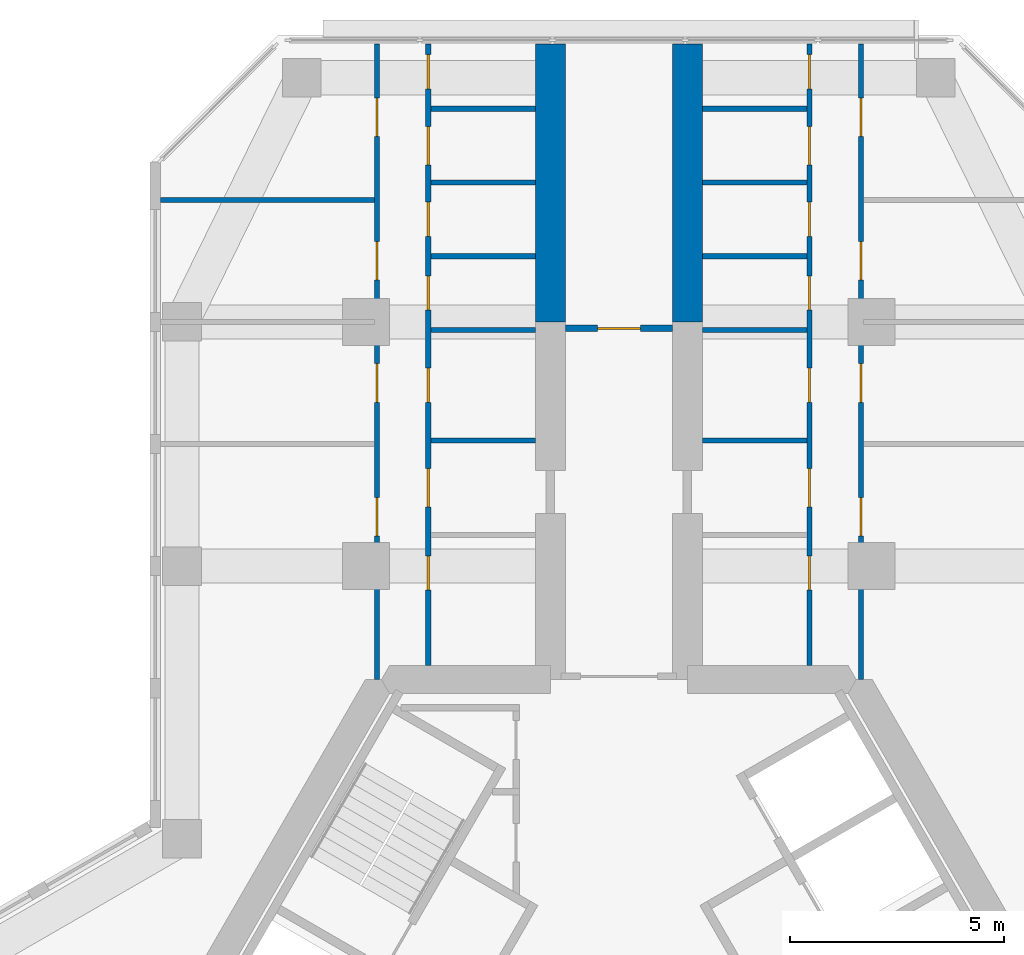
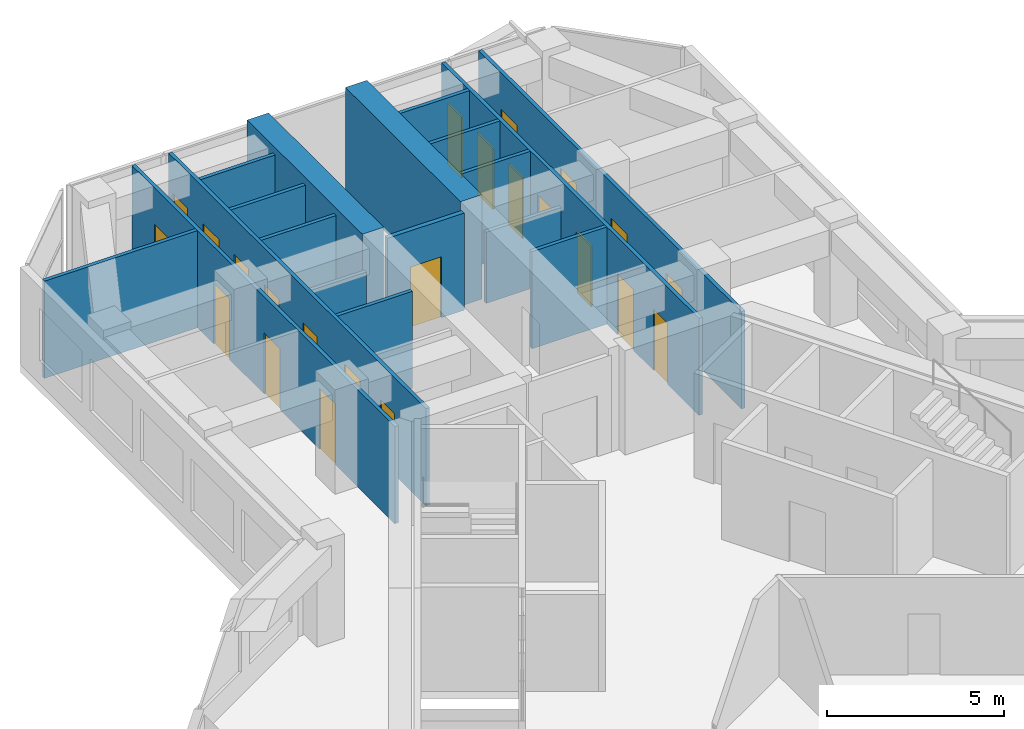
# One storey, part 14 of 16: 23 doors, 18 walls, 23 openings.
"""IFC4 building model written with IfcOpenShell, lengths in metres."""

import ifcopenshell
import ifcopenshell.guid

model = None  # the IFC model being written
_history = None  # IfcOwnerHistory: only IFC2X3 demands one
_inside = {}  # id of a spatial element -> (the spatial element, [elements in it])
_under = {}  # id of a project, library or spatial element -> (it, [spatial elements below it])
_declared = {}  # id of a project -> (the project, [libraries it declares])
_typed = {}  # id of a type object -> (the type object, [elements of that type])
_made_of = {}  # id of a material, layer set ... -> (it, [elements and type objects made of it])


def new_model(schema):
    """Start an empty IFC model of exactly this schema.

    Asked for "IFC4X3", IfcOpenShell would pick the latest addendum, in which some entities
    have other attributes; the version numbers below select the first issue.
    IFC2X3 requires an IfcOwnerHistory on every rooted entity: one is made here for all.
    """
    global model, _history
    if schema == "IFC4X3":
        model = ifcopenshell.file(schema_version=(4, 3, 0, 0))
    else:
        model = ifcopenshell.file(schema=schema)
    _inside.clear()
    _under.clear()
    _declared.clear()
    _typed.clear()
    _made_of.clear()
    _history = None
    if model.schema == "IFC2X3":
        org = make("IfcOrganization", Name="unknown")
        user = make(
            "IfcPersonAndOrganization",
            ThePerson=make("IfcPerson", FamilyName="unknown"),
            TheOrganization=org,
        )
        app = make(
            "IfcApplication",
            ApplicationDeveloper=org,
            Version="unknown",
            ApplicationFullName="unknown",
            ApplicationIdentifier="unknown",
        )
        _history = make(
            "IfcOwnerHistory",
            OwningUser=user,
            OwningApplication=app,
            ChangeAction="ADDED",
            CreationDate=0,
        )
    return model


def make(cls, **values):
    """One entity of the class cls with the attributes given. An attribute that is None is left unset."""
    return model.create_entity(
        cls, **{name: value for name, value in values.items() if value is not None}
    )


def rooted(cls, **values):
    """An entity with a GlobalId (a new one), such as an element, a storey or a relation."""
    return make(cls, GlobalId=ifcopenshell.guid.new(), OwnerHistory=_history, **values)


def si_unit(unit_type, name, prefix=None):
    """IfcSIUnit, for example si_unit("LENGTHUNIT", "METRE", prefix="MILLI")."""
    return make("IfcSIUnit", UnitType=unit_type, Prefix=prefix, Name=name)


def assignment(units):
    """IfcUnitAssignment: the units of a project."""
    return None if units is None else make("IfcUnitAssignment", Units=units)


def point(xyz):
    """IfcCartesianPoint."""
    return None if xyz is None else make("IfcCartesianPoint", Coordinates=xyz)


def direction(xyz):
    """IfcDirection."""
    return None if xyz is None else make("IfcDirection", DirectionRatios=xyz)


def frame(location, z_axis=None, x_axis=None):
    """IfcAxis2Placement3D, a coordinate frame: its origin and axes. An axis left out is left unset."""
    return make(
        "IfcAxis2Placement3D",
        Location=point(location),
        Axis=direction(z_axis),
        RefDirection=direction(x_axis),
    )


def frame_2d(location, x_axis=None):
    """IfcAxis2Placement2D, a coordinate frame in the plane: its origin and x axis."""
    return make(
        "IfcAxis2Placement2D", Location=point(location), RefDirection=direction(x_axis)
    )


def origin():
    """The frame at (0, 0, 0) with its axes left unset."""
    return frame((0.0, 0.0, 0.0))


def place(relative_to, where):
    """IfcLocalPlacement: puts the frame where relative to a parent placement (None: the world)."""
    return make(
        "IfcLocalPlacement", PlacementRelTo=relative_to, RelativePlacement=where
    )


def context(
    kind, dimensions, precision=None, world=None, true_north=None, identifier=None
):
    """IfcGeometricRepresentationContext, for example the 3D "Model" context."""
    return make(
        "IfcGeometricRepresentationContext",
        ContextIdentifier=identifier,
        ContextType=kind,
        CoordinateSpaceDimension=dimensions,
        Precision=precision,
        WorldCoordinateSystem=world,
        TrueNorth=true_north,
    )


def subcontext(parent, identifier, kind, view, scale=None):
    """IfcGeometricRepresentationSubContext, for example "Body" below "Model"."""
    return make(
        "IfcGeometricRepresentationSubContext",
        ContextIdentifier=identifier,
        ContextType=kind,
        ParentContext=parent,
        TargetScale=scale,
        TargetView=view,
    )


def project(units=None, contexts=None):
    """IfcProject with its units and contexts."""
    return rooted(
        "IfcProject",
        Name="project",
        RepresentationContexts=contexts,
        UnitsInContext=assignment(units),
    )


def spatial(cls, under=None, at=None, **own):
    """A site, building, storey or space (cls), placed at a placement, below another one or the project."""
    s = rooted(cls, ObjectPlacement=at, **own)
    if under is not None:
        _under.setdefault(under.id(), (under, []))[1].append(s)
    return s


def profile(cls, at=None, kind="AREA", **sizes):
    """A parametric profile (cls). Its sizes go by their IFC names, for example OverallWidth=200.0."""
    return make(cls, ProfileType=kind, Position=at, **sizes)


def rectangle(**sizes):
    """IfcRectangleProfileDef."""
    return profile("IfcRectangleProfileDef", **sizes)


def extrude(swept, where, along, depth):
    """IfcExtrudedAreaSolid: the profile swept, set in the frame where, extruded along a direction by depth."""
    return make(
        "IfcExtrudedAreaSolid",
        SweptArea=swept,
        Position=where,
        ExtrudedDirection=direction(along),
        Depth=depth,
    )


def shape(context_of_items, identifier, shape_type, items):
    """IfcShapeRepresentation: the items that make up one representation, for example the "Body"."""
    return make(
        "IfcShapeRepresentation",
        ContextOfItems=context_of_items,
        RepresentationIdentifier=identifier,
        RepresentationType=shape_type,
        Items=items,
    )


def material(Name=None, Category=None):
    """IfcMaterial."""
    return make("IfcMaterial", Name=Name, Category=Category)


def layer(
    of_material, thickness, ventilated=None, Name=None, Category=None, Priority=None
):
    """IfcMaterialLayer: one layer of a wall or slab, of a material (None: an air gap)."""
    return make(
        "IfcMaterialLayer",
        Material=of_material,
        LayerThickness=thickness,
        IsVentilated=ventilated,
        Name=Name,
        Category=Category,
        Priority=Priority,
    )


def layer_set(layers, Name=None):
    """IfcMaterialLayerSet."""
    return make("IfcMaterialLayerSet", MaterialLayers=layers, LayerSetName=Name)


def made_of(thing, what):
    """Note that an element or type object is made of a material, layer set ...; save() writes the relation."""
    if what is not None:
        _made_of.setdefault(what.id(), (what, []))[1].append(thing)
    return thing


def type_object(cls, material=None, **own):
    """A type object (cls), such as IfcWallType, which elements share."""
    return made_of(rooted(cls, **own), material)


def element(
    cls,
    number,
    at=None,
    inside=None,
    cuts=None,
    type_object=None,
    material=None,
    context=None,
    identifier="Body",
    shape_type=None,
    held_by="IfcProductDefinitionShape",
    body=None,
    shapes=None,
    **own,
):
    """One element of the class cls, such as IfcWall. Its Tag is "e" and its number.

    at: its placement. inside: the storey or other place that contains it. cuts: it is an
    opening in that element (IfcRelVoidsElement). A single representation is given by context,
    identifier, shape_type and body (its items); several are given by shapes. held_by: the class
    of the entity that holds the representations. save() writes the other relations.
    """
    e = rooted(cls, Tag="e%d" % number, ObjectPlacement=at, **own)
    if body is not None:
        shapes = [shape(context, identifier, shape_type, body)]
    if shapes is not None:
        e.Representation = make(held_by, Representations=shapes)
    if inside is not None:
        _inside.setdefault(inside.id(), (inside, []))[1].append(e)
    if cuts is not None:
        rooted(
            "IfcRelVoidsElement", RelatingBuildingElement=cuts, RelatedOpeningElement=e
        )
    if type_object is not None:
        _typed.setdefault(type_object.id(), (type_object, []))[1].append(e)
    return made_of(e, material)


def fill(opening, filler):
    """IfcRelFillsElement: the door or window that sits in an opening."""
    return rooted(
        "IfcRelFillsElement",
        RelatingOpeningElement=opening,
        RelatedBuildingElement=filler,
    )


def aggregate(whole, parts):
    """IfcRelAggregates: a whole, such as a stair, and the parts it consists of."""
    return rooted("IfcRelAggregates", RelatingObject=whole, RelatedObjects=parts)


def save(model, path):
    """Write the relations noted so far, then the file.

    IfcRelAggregates (storeys below a building ...), IfcRelContainedInSpatialStructure (elements
    in a storey), IfcRelDefinesByType, IfcRelAssociatesMaterial and IfcRelDeclares: one each for
    every whole, place, type object, material and project.
    """
    for whole, parts in _under.values():
        aggregate(whole, parts)
    for where, things in _inside.values():
        rooted(
            "IfcRelContainedInSpatialStructure",
            RelatedElements=things,
            RelatingStructure=where,
        )
    for kind, things in _typed.values():
        rooted("IfcRelDefinesByType", RelatedObjects=things, RelatingType=kind)
    for what, things in _made_of.values():
        rooted("IfcRelAssociatesMaterial", RelatedObjects=things, RelatingMaterial=what)
    for by, libraries in _declared.values():
        rooted("IfcRelDeclares", RelatingContext=by, RelatedDefinitions=libraries)
    model.write(path)


model = new_model("IFC4")

# Units and contexts
model_context = context("Model", 3, precision=1e-05, world=origin(), true_north=direction((0.0, 1.0)))
body_context = subcontext(model_context, "Body", "Model", "MODEL_VIEW")
ifc_project = project(units=[si_unit("LENGTHUNIT", "METRE"), si_unit("AREAUNIT", "SQUARE_METRE"), si_unit("VOLUMEUNIT", "CUBIC_METRE"), si_unit("PLANEANGLEUNIT", "RADIAN"), si_unit("MASSUNIT", "GRAM", prefix="KILO")], contexts=[model_context])

# Site, building, storey
site_placement = place(None, origin())
site = spatial("IfcSite", under=ifc_project, at=site_placement, CompositionType="ELEMENT")
building_placement = place(site_placement, origin())
building = spatial("IfcBuilding", under=site, at=building_placement, Name="Kosmar Iwan School Tower", CompositionType="ELEMENT")
storey_placement = place(building_placement, frame((0.0, 0.0, 211.800048828125)))
storey = spatial("IfcBuildingStorey", under=building, at=storey_placement, Name="L53", CompositionType="ELEMENT", Elevation=211.800048828125)

# Walls
ifc_material_1 = material(Name="Concrete C50/60", Category="concrete")
ifc_layer_1 = layer(ifc_material_1, 0.699951171875)
ifc_layer_set_1 = layer_set([ifc_layer_1], Name="Corridor buttress wall 700")
wall_type_1 = type_object("IfcWallType", Name="Corridor buttress wall 700", PredefinedType="SHEAR", material=ifc_layer_set_1)
for number, where, z_axis, x_axis, name in (
    (1, (-1.60009765625, 17.949951171875, 0.0), (0.0, 0.0, 1.0), (0.0, 1.0, 0.0), "Corridor wall AL bay 2"),
    (2, (1.60009765625, 17.949951171875, 0.0), (0.0, 0.0, 1.0), (0.0, 1.0, 0.0), "Corridor wall AR bay 2"),
):
    element("IfcWall", number, at=place(storey_placement, frame(where, z_axis=z_axis, x_axis=x_axis)), inside=storey, type_object=wall_type_1, Name=name, PredefinedType="SHEAR", context=body_context, shape_type="SweptSolid", body=[
        extrude(rectangle(XDim=6.4951171875, YDim=0.699951171875, at=frame_2d((3.24755859375, 0.0))), origin(), (0.0, 0.0, 1.0), 3.599853515625),
    ])

# Wall, opening, door
ifc_material_2 = material(Name="Gypsum board on steel studs, fire-rated", Category="steel")
ifc_layer_2 = layer(ifc_material_2, 0.14990234375)
ifc_layer_set_2 = layer_set([ifc_layer_2], Name="Corridor end wall 150")
wall_type_2 = type_object("IfcWallType", Name="Corridor end wall 150", PredefinedType="PARTITIONING", material=ifc_layer_set_2)
wall_1_placement = place(storey_placement, frame((1.25, 17.800048828125, 0.0), z_axis=(0.0, 0.0, 1.0), x_axis=(-1.0, 0.0, 0.0)))
wall_1 = element("IfcWall", 3, at=wall_1_placement, inside=storey, type_object=wall_type_2, Name="Partition L53-A-CE", PredefinedType="PARTITIONING", context=body_context, shape_type="SweptSolid", body=[
    extrude(rectangle(XDim=2.5, YDim=0.14990234375, at=frame_2d((1.25, 0.0))), origin(), (0.0, 0.0, 1.0), 3.349853515625),
])
opening_1_placement = place(wall_1_placement, frame((0.75, 0.0, 0.0)))
opening_1 = element("IfcOpeningElement", 4, at=opening_1_placement, cuts=wall_1, Name="Opening D13", PredefinedType="OPENING", context=body_context, shape_type="SweptSolid", body=[
    extrude(rectangle(XDim=1.0, YDim=2.10009765625, at=frame_2d((0.5, 1.050048828125))), frame((0.0, 0.0869140625, 0.0), z_axis=(0.0, -1.0, 0.0), x_axis=(1.0, 0.0, 0.0)), (0.0, 0.0, 1.0), 0.173828125),
])
ifc_material_3 = material(Name="Timber fire door with vision panel", Category="wood")
door_type_1 = type_object("IfcDoorType", Name="Corridor end door 1000x2100", OperationType="SINGLE_SWING_LEFT", PredefinedType="DOOR", material=ifc_material_3)
door_1_placement = place(opening_1_placement, origin())
door_1 = element("IfcDoor", 5, at=door_1_placement, inside=storey, type_object=door_type_1, Name="Reading room door L53-A", OperationType="SINGLE_SWING_RIGHT", OverallHeight=2.10009765625, OverallWidth=1.0, PredefinedType="DOOR", context=body_context, shape_type="SweptSolid", body=[
    extrude(rectangle(XDim=1.0, YDim=2.10009765625, at=frame_2d((0.5, 1.050048828125))), frame((0.0, 0.02490234375, 0.0), z_axis=(0.0, -1.0, 0.0), x_axis=(1.0, 0.0, 0.0)), (0.0, 0.0, 1.0), 0.050048828125),
])
fill(opening_1, door_1)

# Wall, openings, doors
ifc_material_4 = material(Name="Gypsum board on steel studs", Category="steel")
ifc_layer_3 = layer(ifc_material_4, 0.1201171875)
ifc_layer_set_3 = layer_set([ifc_layer_3], Name="Dwelling partition 120")
wall_type_3 = type_object("IfcWallType", Name="Dwelling partition 120", PredefinedType="PARTITIONING", material=ifc_layer_set_3)
wall_2_placement = place(storey_placement, frame((-4.449951171875, 9.925048828125, 0.0), z_axis=(0.0, 0.0, 1.0), x_axis=(0.0, 1.0, 0.0)))
wall_2 = element("IfcWall", 6, at=wall_2_placement, inside=storey, type_object=wall_type_3, Name="Partition L53-AL1-W1", PredefinedType="PARTITIONING", context=body_context, shape_type="SweptSolid", body=[
    extrude(rectangle(XDim=14.52001953125, YDim=0.1201171875, at=frame_2d((7.260009765625, 0.0))), origin(), (0.0, 0.0, 1.0), 3.349853515625),
])
opening_2_placement = place(wall_2_placement, frame((1.764892578125, 0.0, 0.0)))
opening_2 = element("IfcOpeningElement", 7, at=opening_2_placement, cuts=wall_2, Name="Opening D3", PredefinedType="OPENING", context=body_context, shape_type="SweptSolid", body=[
    extrude(rectangle(XDim=0.800048828125, YDim=2.10009765625, at=frame_2d((0.39990234375, 1.050048828125))), frame((0.0, 0.072021484375, 0.0), z_axis=(0.0, -1.0, 0.0), x_axis=(1.0, 0.0, 0.0)), (0.0, 0.0, 1.0), 0.14404296875),
])
opening_3_placement = place(wall_2_placement, frame((3.705078125, 0.0, 0.0)))
opening_3 = element("IfcOpeningElement", 8, at=opening_3_placement, cuts=wall_2, Name="Opening D2", PredefinedType="OPENING", context=body_context, shape_type="SweptSolid", body=[
    extrude(rectangle(XDim=0.89990234375, YDim=2.10009765625, at=frame_2d((0.449951171875, 1.050048828125))), frame((0.0, 0.072021484375, 0.0), z_axis=(0.0, -1.0, 0.0), x_axis=(1.0, 0.0, 0.0)), (0.0, 0.0, 1.0), 0.14404296875),
])
opening_4_placement = place(wall_2_placement, frame((6.146484375, 0.0, 0.0)))
opening_4 = element("IfcOpeningElement", 9, at=opening_4_placement, cuts=wall_2, Name="Opening D3", PredefinedType="OPENING", context=body_context, shape_type="SweptSolid", body=[
    extrude(rectangle(XDim=0.800048828125, YDim=2.10009765625, at=frame_2d((0.39990234375, 1.050048828125))), frame((0.0, 0.072021484375, 0.0), z_axis=(0.0, -1.0, 0.0), x_axis=(1.0, 0.0, 0.0)), (0.0, 0.0, 1.0), 0.14404296875),
])
opening_5_placement = place(wall_2_placement, frame((8.298583984375, 0.0, 0.0)))
opening_5 = element("IfcOpeningElement", 10, at=opening_5_placement, cuts=wall_2, Name="Opening D3", PredefinedType="OPENING", context=body_context, shape_type="SweptSolid", body=[
    extrude(rectangle(XDim=0.800048828125, YDim=2.10009765625, at=frame_2d((0.39990234375, 1.050048828125))), frame((0.0, 0.072021484375, 0.0), z_axis=(0.0, -1.0, 0.0), x_axis=(1.0, 0.0, 0.0)), (0.0, 0.0, 1.0), 0.14404296875),
])
opening_6_placement = place(wall_2_placement, frame((10.0205078125, 0.0, 0.0)))
opening_6 = element("IfcOpeningElement", 11, at=opening_6_placement, cuts=wall_2, Name="Opening D3", PredefinedType="OPENING", context=body_context, shape_type="SweptSolid", body=[
    extrude(rectangle(XDim=0.800048828125, YDim=2.10009765625, at=frame_2d((0.39990234375, 1.050048828125))), frame((0.0, 0.072021484375, 0.0), z_axis=(0.0, -1.0, 0.0), x_axis=(1.0, 0.0, 0.0)), (0.0, 0.0, 1.0), 0.14404296875),
])
opening_7_placement = place(wall_2_placement, frame((11.6923828125, 0.0, 0.0)))
opening_7 = element("IfcOpeningElement", 12, at=opening_7_placement, cuts=wall_2, Name="Opening D2", PredefinedType="OPENING", context=body_context, shape_type="SweptSolid", body=[
    extrude(rectangle(XDim=0.89990234375, YDim=2.10009765625, at=frame_2d((0.449951171875, 1.050048828125))), frame((0.0, 0.072021484375, 0.0), z_axis=(0.0, -1.0, 0.0), x_axis=(1.0, 0.0, 0.0)), (0.0, 0.0, 1.0), 0.14404296875),
])
opening_8_placement = place(wall_2_placement, frame((13.464111328125, 0.0, 0.0)))
opening_8 = element("IfcOpeningElement", 13, at=opening_8_placement, cuts=wall_2, Name="Opening D3", PredefinedType="OPENING", context=body_context, shape_type="SweptSolid", body=[
    extrude(rectangle(XDim=0.800048828125, YDim=2.10009765625, at=frame_2d((0.39990234375, 1.050048828125))), frame((0.0, 0.072021484375, 0.0), z_axis=(0.0, -1.0, 0.0), x_axis=(1.0, 0.0, 0.0)), (0.0, 0.0, 1.0), 0.14404296875),
])
ifc_material_5 = material(Name="Timber door in timber frame", Category="wood")
door_type_2 = type_object("IfcDoorType", Name="Internal door 900x2100", OperationType="SINGLE_SWING_LEFT", PredefinedType="DOOR", material=ifc_material_5)
door_2_placement = place(opening_3_placement, origin())
door_2 = element("IfcDoor", 14, at=door_2_placement, inside=storey, type_object=door_type_2, Name="Entrance hall door L53-AL1-S2", OperationType="SINGLE_SWING_LEFT", OverallHeight=2.10009765625, OverallWidth=0.89990234375, PredefinedType="DOOR", context=body_context, shape_type="SweptSolid", body=[
    extrude(rectangle(XDim=0.89990234375, YDim=2.10009765625, at=frame_2d((0.449951171875, 1.050048828125))), frame((0.0, 0.02490234375, 0.0), z_axis=(0.0, -1.0, 0.0), x_axis=(1.0, 0.0, 0.0)), (0.0, 0.0, 1.0), 0.050048828125),
])
fill(opening_3, door_2)
door_3_placement = place(opening_7_placement, origin())
door_3 = element("IfcDoor", 15, at=door_3_placement, inside=storey, type_object=door_type_2, Name="Pantry door L53-AL1-S6", OperationType="SINGLE_SWING_RIGHT", OverallHeight=2.10009765625, OverallWidth=0.89990234375, PredefinedType="DOOR", context=body_context, shape_type="SweptSolid", body=[
    extrude(rectangle(XDim=0.89990234375, YDim=2.10009765625, at=frame_2d((0.449951171875, 1.050048828125))), frame((0.0, 0.02490234375, 0.0), z_axis=(0.0, -1.0, 0.0), x_axis=(1.0, 0.0, 0.0)), (0.0, 0.0, 1.0), 0.050048828125),
])
fill(opening_7, door_3)
ifc_material_6 = material(Name="Timber door in timber frame", Category="wood")
door_type_3 = type_object("IfcDoorType", Name="Sanitary room door 800x2100", OperationType="SINGLE_SWING_LEFT", PredefinedType="DOOR", material=ifc_material_6)
door_4_placement = place(opening_2_placement, origin())
door_4 = element("IfcDoor", 16, at=door_4_placement, inside=storey, type_object=door_type_3, Name="WC door L53-AL1-S1", OperationType="SINGLE_SWING_LEFT", OverallHeight=2.10009765625, OverallWidth=0.800048828125, PredefinedType="DOOR", context=body_context, shape_type="SweptSolid", body=[
    extrude(rectangle(XDim=0.800048828125, YDim=2.10009765625, at=frame_2d((0.39990234375, 1.050048828125))), frame((0.0, 0.02490234375, 0.0), z_axis=(0.0, -1.0, 0.0), x_axis=(1.0, 0.0, 0.0)), (0.0, 0.0, 1.0), 0.050048828125),
])
fill(opening_2, door_4)
door_5_placement = place(opening_4_placement, origin())
door_5 = element("IfcDoor", 17, at=door_5_placement, inside=storey, type_object=door_type_3, Name="Bathroom door L53-AL1-S3", OperationType="SINGLE_SWING_LEFT", OverallHeight=2.10009765625, OverallWidth=0.800048828125, PredefinedType="DOOR", context=body_context, shape_type="SweptSolid", body=[
    extrude(rectangle(XDim=0.800048828125, YDim=2.10009765625, at=frame_2d((0.39990234375, 1.050048828125))), frame((0.0, 0.02490234375, 0.0), z_axis=(0.0, -1.0, 0.0), x_axis=(1.0, 0.0, 0.0)), (0.0, 0.0, 1.0), 0.050048828125),
])
fill(opening_4, door_5)
door_6_placement = place(opening_5_placement, origin())
door_6 = element("IfcDoor", 18, at=door_6_placement, inside=storey, type_object=door_type_3, Name="Grandparents' shower room door L53-AL1-S4", OperationType="SINGLE_SWING_RIGHT", OverallHeight=2.10009765625, OverallWidth=0.800048828125, PredefinedType="DOOR", context=body_context, shape_type="SweptSolid", body=[
    extrude(rectangle(XDim=0.800048828125, YDim=2.10009765625, at=frame_2d((0.39990234375, 1.050048828125))), frame((0.0, 0.02490234375, 0.0), z_axis=(0.0, -1.0, 0.0), x_axis=(1.0, 0.0, 0.0)), (0.0, 0.0, 1.0), 0.050048828125),
])
fill(opening_5, door_6)
door_7_placement = place(opening_6_placement, origin())
door_7 = element("IfcDoor", 19, at=door_7_placement, inside=storey, type_object=door_type_3, Name="Shower room door L53-AL1-S5", OperationType="SINGLE_SWING_RIGHT", OverallHeight=2.10009765625, OverallWidth=0.800048828125, PredefinedType="DOOR", context=body_context, shape_type="SweptSolid", body=[
    extrude(rectangle(XDim=0.800048828125, YDim=2.10009765625, at=frame_2d((0.39990234375, 1.050048828125))), frame((0.0, 0.02490234375, 0.0), z_axis=(0.0, -1.0, 0.0), x_axis=(1.0, 0.0, 0.0)), (0.0, 0.0, 1.0), 0.050048828125),
])
fill(opening_6, door_7)
door_8_placement = place(opening_8_placement, origin())
door_8 = element("IfcDoor", 20, at=door_8_placement, inside=storey, type_object=door_type_3, Name="Store door L53-AL1-S7", OperationType="SINGLE_SWING_RIGHT", OverallHeight=2.10009765625, OverallWidth=0.800048828125, PredefinedType="DOOR", context=body_context, shape_type="SweptSolid", body=[
    extrude(rectangle(XDim=0.800048828125, YDim=2.10009765625, at=frame_2d((0.39990234375, 1.050048828125))), frame((0.0, 0.02490234375, 0.0), z_axis=(0.0, -1.0, 0.0), x_axis=(1.0, 0.0, 0.0)), (0.0, 0.0, 1.0), 0.050048828125),
])
fill(opening_8, door_8)

wall_3_placement = place(storey_placement, frame((-5.64990234375, 9.60009765625, 0.0), z_axis=(0.0, 0.0, 1.0), x_axis=(0.0, 1.0, 0.0)))
wall_3 = element("IfcWall", 21, at=wall_3_placement, inside=storey, type_object=wall_type_3, Name="Partition L53-AL1-W2", PredefinedType="PARTITIONING", context=body_context, shape_type="SweptSolid", body=[
    extrude(rectangle(XDim=14.844970703125, YDim=0.1201171875, at=frame_2d((7.42236328125, 0.0))), origin(), (0.0, 0.0, 1.0), 3.349853515625),
])
opening_9_placement = place(wall_3_placement, frame((3.35009765625, 0.0, 0.0)))
opening_9 = element("IfcOpeningElement", 22, at=opening_9_placement, cuts=wall_3, Name="Opening D2", PredefinedType="OPENING", context=body_context, shape_type="SweptSolid", body=[
    extrude(rectangle(XDim=0.89990234375, YDim=2.10009765625, at=frame_2d((0.449951171875, 1.050048828125))), frame((0.0, 0.072021484375, 0.0), z_axis=(0.0, -1.0, 0.0), x_axis=(1.0, 0.0, 0.0)), (0.0, 0.0, 1.0), 0.14404296875),
])
opening_10_placement = place(wall_3_placement, frame((6.47509765625, 0.0, 0.0)))
opening_10 = element("IfcOpeningElement", 23, at=opening_10_placement, cuts=wall_3, Name="Opening D2", PredefinedType="OPENING", context=body_context, shape_type="SweptSolid", body=[
    extrude(rectangle(XDim=0.89990234375, YDim=2.10009765625, at=frame_2d((0.449951171875, 1.050048828125))), frame((0.0, 0.072021484375, 0.0), z_axis=(0.0, -1.0, 0.0), x_axis=(1.0, 0.0, 0.0)), (0.0, 0.0, 1.0), 0.14404296875),
])
opening_11_placement = place(wall_3_placement, frame((9.324951171875, 0.0, 0.0)))
opening_11 = element("IfcOpeningElement", 24, at=opening_11_placement, cuts=wall_3, Name="Opening D2", PredefinedType="OPENING", context=body_context, shape_type="SweptSolid", body=[
    extrude(rectangle(XDim=0.89990234375, YDim=2.10009765625, at=frame_2d((0.449951171875, 1.050048828125))), frame((0.0, 0.072021484375, 0.0), z_axis=(0.0, -1.0, 0.0), x_axis=(1.0, 0.0, 0.0)), (0.0, 0.0, 1.0), 0.14404296875),
])
opening_12_placement = place(wall_3_placement, frame((12.675048828125, 0.0, 0.0)))
opening_12 = element("IfcOpeningElement", 25, at=opening_12_placement, cuts=wall_3, Name="Opening D2", PredefinedType="OPENING", context=body_context, shape_type="SweptSolid", body=[
    extrude(rectangle(XDim=0.89990234375, YDim=2.10009765625, at=frame_2d((0.449951171875, 1.050048828125))), frame((0.0, 0.072021484375, 0.0), z_axis=(0.0, -1.0, 0.0), x_axis=(1.0, 0.0, 0.0)), (0.0, 0.0, 1.0), 0.14404296875),
])
door_9_placement = place(opening_9_placement, origin())
door_9 = element("IfcDoor", 26, at=door_9_placement, inside=storey, type_object=door_type_2, Name="Living room and kitchen door L53-AL1-F1", OperationType="SINGLE_SWING_RIGHT", OverallHeight=2.10009765625, OverallWidth=0.89990234375, PredefinedType="DOOR", context=body_context, shape_type="SweptSolid", body=[
    extrude(rectangle(XDim=0.89990234375, YDim=2.10009765625, at=frame_2d((0.449951171875, 1.050048828125))), frame((0.0, 0.02490234375, 0.0), z_axis=(0.0, -1.0, 0.0), x_axis=(1.0, 0.0, 0.0)), (0.0, 0.0, 1.0), 0.050048828125),
])
fill(opening_9, door_9)
door_10_placement = place(opening_10_placement, origin())
door_10 = element("IfcDoor", 27, at=door_10_placement, inside=storey, type_object=door_type_2, Name="Bedroom 1 door L53-AL1-F2", OperationType="SINGLE_SWING_LEFT", OverallHeight=2.10009765625, OverallWidth=0.89990234375, PredefinedType="DOOR", context=body_context, shape_type="SweptSolid", body=[
    extrude(rectangle(XDim=0.89990234375, YDim=2.10009765625, at=frame_2d((0.449951171875, 1.050048828125))), frame((0.0, 0.02490234375, 0.0), z_axis=(0.0, -1.0, 0.0), x_axis=(1.0, 0.0, 0.0)), (0.0, 0.0, 1.0), 0.050048828125),
])
fill(opening_10, door_10)
door_11_placement = place(opening_11_placement, origin())
door_11 = element("IfcDoor", 28, at=door_11_placement, inside=storey, type_object=door_type_2, Name="Grandparents' suite door L53-AL1-F3", OperationType="SINGLE_SWING_RIGHT", OverallHeight=2.10009765625, OverallWidth=0.89990234375, PredefinedType="DOOR", context=body_context, shape_type="SweptSolid", body=[
    extrude(rectangle(XDim=0.89990234375, YDim=2.10009765625, at=frame_2d((0.449951171875, 1.050048828125))), frame((0.0, 0.02490234375, 0.0), z_axis=(0.0, -1.0, 0.0), x_axis=(1.0, 0.0, 0.0)), (0.0, 0.0, 1.0), 0.050048828125),
])
fill(opening_11, door_11)
door_12_placement = place(opening_12_placement, origin())
door_12 = element("IfcDoor", 29, at=door_12_placement, inside=storey, type_object=door_type_2, Name="Bedroom 2 door L53-AL1-F4", OperationType="SINGLE_SWING_RIGHT", OverallHeight=2.10009765625, OverallWidth=0.89990234375, PredefinedType="DOOR", context=body_context, shape_type="SweptSolid", body=[
    extrude(rectangle(XDim=0.89990234375, YDim=2.10009765625, at=frame_2d((0.449951171875, 1.050048828125))), frame((0.0, 0.02490234375, 0.0), z_axis=(0.0, -1.0, 0.0), x_axis=(1.0, 0.0, 0.0)), (0.0, 0.0, 1.0), 0.050048828125),
])
fill(opening_12, door_12)

# Walls
wall_4_placement = place(storey_placement, frame((-5.7099609375, 20.800048828125, 0.0), z_axis=(0.0, 0.0, 1.0), x_axis=(-1.0, 0.0, 0.0)))
element("IfcWall", 30, at=wall_4_placement, inside=storey, type_object=wall_type_3, Name="Partition L53-AL1-X3", PredefinedType="PARTITIONING", context=body_context, shape_type="SweptSolid", body=[
    extrude(rectangle(XDim=4.989990234375, YDim=0.1201171875, at=frame_2d((2.4951171875, 0.0))), origin(), (0.0, 0.0, 1.0), 3.349853515625),
])
wall_5_placement = place(storey_placement, frame((-1.949951171875, 15.179931640625, 0.0), z_axis=(0.0, 0.0, 1.0), x_axis=(-1.0, 0.0, 0.0)))
element("IfcWall", 31, at=wall_5_placement, inside=storey, type_object=wall_type_3, Name="Partition L53-AL1-Y2", PredefinedType="PARTITIONING", context=body_context, shape_type="SweptSolid", body=[
    extrude(rectangle(XDim=2.43994140625, YDim=0.1201171875, at=frame_2d((1.219970703125, 0.0))), origin(), (0.0, 0.0, 1.0), 3.349853515625),
])
wall_6_placement = place(storey_placement, frame((-1.949951171875, 17.7626953125, 0.0), z_axis=(0.0, 0.0, 1.0), x_axis=(-1.0, 0.0, 0.0)))
element("IfcWall", 32, at=wall_6_placement, inside=storey, type_object=wall_type_3, Name="Partition L53-AL1-Y3", PredefinedType="PARTITIONING", context=body_context, shape_type="SweptSolid", body=[
    extrude(rectangle(XDim=2.43994140625, YDim=0.1201171875, at=frame_2d((1.219970703125, 0.0))), origin(), (0.0, 0.0, 1.0), 2.449951171875),
])
for number, where, z_axis, x_axis, name in (
    (33, (-1.949951171875, 19.484619140625, 0.0), (0.0, 0.0, 1.0), (-1.0, 0.0, 0.0), "Partition L53-AL1-Y4"),
    (34, (-1.949951171875, 21.206298828125, 0.0), (0.0, 0.0, 1.0), (-1.0, 0.0, 0.0), "Partition L53-AL1-Y5"),
    (35, (-1.949951171875, 22.92822265625, 0.0), (0.0, 0.0, 1.0), (-1.0, 0.0, 0.0), "Partition L53-AL1-Y6"),
):
    element("IfcWall", number, at=place(storey_placement, frame(where, z_axis=z_axis, x_axis=x_axis)), inside=storey, type_object=wall_type_3, Name=name, PredefinedType="PARTITIONING", context=body_context, shape_type="SweptSolid", body=[
        extrude(rectangle(XDim=2.43994140625, YDim=0.1201171875, at=frame_2d((1.219970703125, 0.0))), origin(), (0.0, 0.0, 1.0), 3.349853515625),
    ])

# Wall, openings, doors
wall_7_placement = place(storey_placement, frame((4.449951171875, 9.925048828125, 0.0), z_axis=(0.0, 0.0, 1.0), x_axis=(0.0, 1.0, 0.0)))
wall_7 = element("IfcWall", 36, at=wall_7_placement, inside=storey, type_object=wall_type_3, Name="Partition L53-AR1-W1", PredefinedType="PARTITIONING", context=body_context, shape_type="SweptSolid", body=[
    extrude(rectangle(XDim=14.52001953125, YDim=0.1201171875, at=frame_2d((7.260009765625, 0.0))), origin(), (0.0, 0.0, 1.0), 3.349853515625),
])
opening_13_placement = place(wall_7_placement, frame((1.764892578125, 0.0, 0.0)))
opening_13 = element("IfcOpeningElement", 37, at=opening_13_placement, cuts=wall_7, Name="Opening D3", PredefinedType="OPENING", context=body_context, shape_type="SweptSolid", body=[
    extrude(rectangle(XDim=0.800048828125, YDim=2.10009765625, at=frame_2d((0.39990234375, 1.050048828125))), frame((0.0, 0.072021484375, 0.0), z_axis=(0.0, -1.0, 0.0), x_axis=(1.0, 0.0, 0.0)), (0.0, 0.0, 1.0), 0.14404296875),
])
opening_14_placement = place(wall_7_placement, frame((3.705078125, 0.0, 0.0)))
opening_14 = element("IfcOpeningElement", 38, at=opening_14_placement, cuts=wall_7, Name="Opening D2", PredefinedType="OPENING", context=body_context, shape_type="SweptSolid", body=[
    extrude(rectangle(XDim=0.89990234375, YDim=2.10009765625, at=frame_2d((0.449951171875, 1.050048828125))), frame((0.0, 0.072021484375, 0.0), z_axis=(0.0, -1.0, 0.0), x_axis=(1.0, 0.0, 0.0)), (0.0, 0.0, 1.0), 0.14404296875),
])
opening_15_placement = place(wall_7_placement, frame((6.146484375, 0.0, 0.0)))
opening_15 = element("IfcOpeningElement", 39, at=opening_15_placement, cuts=wall_7, Name="Opening D3", PredefinedType="OPENING", context=body_context, shape_type="SweptSolid", body=[
    extrude(rectangle(XDim=0.800048828125, YDim=2.10009765625, at=frame_2d((0.39990234375, 1.050048828125))), frame((0.0, 0.072021484375, 0.0), z_axis=(0.0, -1.0, 0.0), x_axis=(1.0, 0.0, 0.0)), (0.0, 0.0, 1.0), 0.14404296875),
])
opening_16_placement = place(wall_7_placement, frame((8.298583984375, 0.0, 0.0)))
opening_16 = element("IfcOpeningElement", 40, at=opening_16_placement, cuts=wall_7, Name="Opening D3", PredefinedType="OPENING", context=body_context, shape_type="SweptSolid", body=[
    extrude(rectangle(XDim=0.800048828125, YDim=2.10009765625, at=frame_2d((0.39990234375, 1.050048828125))), frame((0.0, 0.072021484375, 0.0), z_axis=(0.0, -1.0, 0.0), x_axis=(1.0, 0.0, 0.0)), (0.0, 0.0, 1.0), 0.14404296875),
])
opening_17_placement = place(wall_7_placement, frame((10.0205078125, 0.0, 0.0)))
opening_17 = element("IfcOpeningElement", 41, at=opening_17_placement, cuts=wall_7, Name="Opening D3", PredefinedType="OPENING", context=body_context, shape_type="SweptSolid", body=[
    extrude(rectangle(XDim=0.800048828125, YDim=2.10009765625, at=frame_2d((0.39990234375, 1.050048828125))), frame((0.0, 0.072021484375, 0.0), z_axis=(0.0, -1.0, 0.0), x_axis=(1.0, 0.0, 0.0)), (0.0, 0.0, 1.0), 0.14404296875),
])
opening_18_placement = place(wall_7_placement, frame((11.6923828125, 0.0, 0.0)))
opening_18 = element("IfcOpeningElement", 42, at=opening_18_placement, cuts=wall_7, Name="Opening D2", PredefinedType="OPENING", context=body_context, shape_type="SweptSolid", body=[
    extrude(rectangle(XDim=0.89990234375, YDim=2.10009765625, at=frame_2d((0.449951171875, 1.050048828125))), frame((0.0, 0.072021484375, 0.0), z_axis=(0.0, -1.0, 0.0), x_axis=(1.0, 0.0, 0.0)), (0.0, 0.0, 1.0), 0.14404296875),
])
opening_19_placement = place(wall_7_placement, frame((13.464111328125, 0.0, 0.0)))
opening_19 = element("IfcOpeningElement", 43, at=opening_19_placement, cuts=wall_7, Name="Opening D3", PredefinedType="OPENING", context=body_context, shape_type="SweptSolid", body=[
    extrude(rectangle(XDim=0.800048828125, YDim=2.10009765625, at=frame_2d((0.39990234375, 1.050048828125))), frame((0.0, 0.072021484375, 0.0), z_axis=(0.0, -1.0, 0.0), x_axis=(1.0, 0.0, 0.0)), (0.0, 0.0, 1.0), 0.14404296875),
])
door_13_placement = place(opening_14_placement, origin())
door_13 = element("IfcDoor", 44, at=door_13_placement, inside=storey, type_object=door_type_2, Name="Entrance hall door L53-AR1-S2", OperationType="SINGLE_SWING_LEFT", OverallHeight=2.10009765625, OverallWidth=0.89990234375, PredefinedType="DOOR", context=body_context, shape_type="SweptSolid", body=[
    extrude(rectangle(XDim=0.89990234375, YDim=2.10009765625, at=frame_2d((0.449951171875, 1.050048828125))), frame((0.0, 0.02490234375, 0.0), z_axis=(0.0, -1.0, 0.0), x_axis=(1.0, 0.0, 0.0)), (0.0, 0.0, 1.0), 0.050048828125),
])
fill(opening_14, door_13)
door_14_placement = place(opening_18_placement, origin())
door_14 = element("IfcDoor", 45, at=door_14_placement, inside=storey, type_object=door_type_2, Name="Pantry door L53-AR1-S6", OperationType="SINGLE_SWING_LEFT", OverallHeight=2.10009765625, OverallWidth=0.89990234375, PredefinedType="DOOR", context=body_context, shape_type="SweptSolid", body=[
    extrude(rectangle(XDim=0.89990234375, YDim=2.10009765625, at=frame_2d((0.449951171875, 1.050048828125))), frame((0.0, 0.02490234375, 0.0), z_axis=(0.0, -1.0, 0.0), x_axis=(1.0, 0.0, 0.0)), (0.0, 0.0, 1.0), 0.050048828125),
])
fill(opening_18, door_14)
door_15_placement = place(opening_13_placement, origin())
door_15 = element("IfcDoor", 46, at=door_15_placement, inside=storey, type_object=door_type_3, Name="WC door L53-AR1-S1", OperationType="SINGLE_SWING_RIGHT", OverallHeight=2.10009765625, OverallWidth=0.800048828125, PredefinedType="DOOR", context=body_context, shape_type="SweptSolid", body=[
    extrude(rectangle(XDim=0.800048828125, YDim=2.10009765625, at=frame_2d((0.39990234375, 1.050048828125))), frame((0.0, 0.02490234375, 0.0), z_axis=(0.0, -1.0, 0.0), x_axis=(1.0, 0.0, 0.0)), (0.0, 0.0, 1.0), 0.050048828125),
])
fill(opening_13, door_15)
door_16_placement = place(opening_15_placement, origin())
door_16 = element("IfcDoor", 47, at=door_16_placement, inside=storey, type_object=door_type_3, Name="Bathroom door L53-AR1-S3", OperationType="SINGLE_SWING_RIGHT", OverallHeight=2.10009765625, OverallWidth=0.800048828125, PredefinedType="DOOR", context=body_context, shape_type="SweptSolid", body=[
    extrude(rectangle(XDim=0.800048828125, YDim=2.10009765625, at=frame_2d((0.39990234375, 1.050048828125))), frame((0.0, 0.02490234375, 0.0), z_axis=(0.0, -1.0, 0.0), x_axis=(1.0, 0.0, 0.0)), (0.0, 0.0, 1.0), 0.050048828125),
])
fill(opening_15, door_16)
door_17_placement = place(opening_16_placement, origin())
door_17 = element("IfcDoor", 48, at=door_17_placement, inside=storey, type_object=door_type_3, Name="Grandparents' shower room door L53-AR1-S4", OperationType="SINGLE_SWING_LEFT", OverallHeight=2.10009765625, OverallWidth=0.800048828125, PredefinedType="DOOR", context=body_context, shape_type="SweptSolid", body=[
    extrude(rectangle(XDim=0.800048828125, YDim=2.10009765625, at=frame_2d((0.39990234375, 1.050048828125))), frame((0.0, 0.02490234375, 0.0), z_axis=(0.0, -1.0, 0.0), x_axis=(1.0, 0.0, 0.0)), (0.0, 0.0, 1.0), 0.050048828125),
])
fill(opening_16, door_17)
door_18_placement = place(opening_17_placement, origin())
door_18 = element("IfcDoor", 49, at=door_18_placement, inside=storey, type_object=door_type_3, Name="Shower room door L53-AR1-S5", OperationType="SINGLE_SWING_RIGHT", OverallHeight=2.10009765625, OverallWidth=0.800048828125, PredefinedType="DOOR", context=body_context, shape_type="SweptSolid", body=[
    extrude(rectangle(XDim=0.800048828125, YDim=2.10009765625, at=frame_2d((0.39990234375, 1.050048828125))), frame((0.0, 0.02490234375, 0.0), z_axis=(0.0, -1.0, 0.0), x_axis=(1.0, 0.0, 0.0)), (0.0, 0.0, 1.0), 0.050048828125),
])
fill(opening_17, door_18)
door_19_placement = place(opening_19_placement, origin())
door_19 = element("IfcDoor", 50, at=door_19_placement, inside=storey, type_object=door_type_3, Name="Store door L53-AR1-S7", OperationType="SINGLE_SWING_RIGHT", OverallHeight=2.10009765625, OverallWidth=0.800048828125, PredefinedType="DOOR", context=body_context, shape_type="SweptSolid", body=[
    extrude(rectangle(XDim=0.800048828125, YDim=2.10009765625, at=frame_2d((0.39990234375, 1.050048828125))), frame((0.0, 0.02490234375, 0.0), z_axis=(0.0, -1.0, 0.0), x_axis=(1.0, 0.0, 0.0)), (0.0, 0.0, 1.0), 0.050048828125),
])
fill(opening_19, door_19)

wall_8_placement = place(storey_placement, frame((5.64990234375, 9.60009765625, 0.0), z_axis=(0.0, 0.0, 1.0), x_axis=(0.0, 1.0, 0.0)))
wall_8 = element("IfcWall", 51, at=wall_8_placement, inside=storey, type_object=wall_type_3, Name="Partition L53-AR1-W2", PredefinedType="PARTITIONING", context=body_context, shape_type="SweptSolid", body=[
    extrude(rectangle(XDim=14.844970703125, YDim=0.1201171875, at=frame_2d((7.42236328125, 0.0))), origin(), (0.0, 0.0, 1.0), 3.349853515625),
])
opening_20_placement = place(wall_8_placement, frame((3.35009765625, 0.0, 0.0)))
opening_20 = element("IfcOpeningElement", 52, at=opening_20_placement, cuts=wall_8, Name="Opening D2", PredefinedType="OPENING", context=body_context, shape_type="SweptSolid", body=[
    extrude(rectangle(XDim=0.89990234375, YDim=2.10009765625, at=frame_2d((0.449951171875, 1.050048828125))), frame((0.0, 0.072021484375, 0.0), z_axis=(0.0, -1.0, 0.0), x_axis=(1.0, 0.0, 0.0)), (0.0, 0.0, 1.0), 0.14404296875),
])
opening_21_placement = place(wall_8_placement, frame((6.47509765625, 0.0, 0.0)))
opening_21 = element("IfcOpeningElement", 53, at=opening_21_placement, cuts=wall_8, Name="Opening D2", PredefinedType="OPENING", context=body_context, shape_type="SweptSolid", body=[
    extrude(rectangle(XDim=0.89990234375, YDim=2.10009765625, at=frame_2d((0.449951171875, 1.050048828125))), frame((0.0, 0.072021484375, 0.0), z_axis=(0.0, -1.0, 0.0), x_axis=(1.0, 0.0, 0.0)), (0.0, 0.0, 1.0), 0.14404296875),
])
opening_22_placement = place(wall_8_placement, frame((9.324951171875, 0.0, 0.0)))
opening_22 = element("IfcOpeningElement", 54, at=opening_22_placement, cuts=wall_8, Name="Opening D2", PredefinedType="OPENING", context=body_context, shape_type="SweptSolid", body=[
    extrude(rectangle(XDim=0.89990234375, YDim=2.10009765625, at=frame_2d((0.449951171875, 1.050048828125))), frame((0.0, 0.072021484375, 0.0), z_axis=(0.0, -1.0, 0.0), x_axis=(1.0, 0.0, 0.0)), (0.0, 0.0, 1.0), 0.14404296875),
])
opening_23_placement = place(wall_8_placement, frame((12.675048828125, 0.0, 0.0)))
opening_23 = element("IfcOpeningElement", 55, at=opening_23_placement, cuts=wall_8, Name="Opening D2", PredefinedType="OPENING", context=body_context, shape_type="SweptSolid", body=[
    extrude(rectangle(XDim=0.89990234375, YDim=2.10009765625, at=frame_2d((0.449951171875, 1.050048828125))), frame((0.0, 0.072021484375, 0.0), z_axis=(0.0, -1.0, 0.0), x_axis=(1.0, 0.0, 0.0)), (0.0, 0.0, 1.0), 0.14404296875),
])
door_20_placement = place(opening_20_placement, origin())
door_20 = element("IfcDoor", 56, at=door_20_placement, inside=storey, type_object=door_type_2, Name="Living room and kitchen door L53-AR1-F1", OperationType="SINGLE_SWING_LEFT", OverallHeight=2.10009765625, OverallWidth=0.89990234375, PredefinedType="DOOR", context=body_context, shape_type="SweptSolid", body=[
    extrude(rectangle(XDim=0.89990234375, YDim=2.10009765625, at=frame_2d((0.449951171875, 1.050048828125))), frame((0.0, 0.02490234375, 0.0), z_axis=(0.0, -1.0, 0.0), x_axis=(1.0, 0.0, 0.0)), (0.0, 0.0, 1.0), 0.050048828125),
])
fill(opening_20, door_20)
door_21_placement = place(opening_21_placement, origin())
door_21 = element("IfcDoor", 57, at=door_21_placement, inside=storey, type_object=door_type_2, Name="Bedroom 1 door L53-AR1-F2", OperationType="SINGLE_SWING_LEFT", OverallHeight=2.10009765625, OverallWidth=0.89990234375, PredefinedType="DOOR", context=body_context, shape_type="SweptSolid", body=[
    extrude(rectangle(XDim=0.89990234375, YDim=2.10009765625, at=frame_2d((0.449951171875, 1.050048828125))), frame((0.0, 0.02490234375, 0.0), z_axis=(0.0, -1.0, 0.0), x_axis=(1.0, 0.0, 0.0)), (0.0, 0.0, 1.0), 0.050048828125),
])
fill(opening_21, door_21)
door_22_placement = place(opening_22_placement, origin())
door_22 = element("IfcDoor", 58, at=door_22_placement, inside=storey, type_object=door_type_2, Name="Grandparents' suite door L53-AR1-F3", OperationType="SINGLE_SWING_RIGHT", OverallHeight=2.10009765625, OverallWidth=0.89990234375, PredefinedType="DOOR", context=body_context, shape_type="SweptSolid", body=[
    extrude(rectangle(XDim=0.89990234375, YDim=2.10009765625, at=frame_2d((0.449951171875, 1.050048828125))), frame((0.0, 0.02490234375, 0.0), z_axis=(0.0, -1.0, 0.0), x_axis=(1.0, 0.0, 0.0)), (0.0, 0.0, 1.0), 0.050048828125),
])
fill(opening_22, door_22)
door_23_placement = place(opening_23_placement, origin())
door_23 = element("IfcDoor", 59, at=door_23_placement, inside=storey, type_object=door_type_2, Name="Bedroom 2 door L53-AR1-F4", OperationType="SINGLE_SWING_RIGHT", OverallHeight=2.10009765625, OverallWidth=0.89990234375, PredefinedType="DOOR", context=body_context, shape_type="SweptSolid", body=[
    extrude(rectangle(XDim=0.89990234375, YDim=2.10009765625, at=frame_2d((0.449951171875, 1.050048828125))), frame((0.0, 0.02490234375, 0.0), z_axis=(0.0, -1.0, 0.0), x_axis=(1.0, 0.0, 0.0)), (0.0, 0.0, 1.0), 0.050048828125),
])
fill(opening_23, door_23)

# Walls
wall_9_placement = place(storey_placement, frame((1.949951171875, 15.179931640625, 0.0), z_axis=(0.0, 0.0, 1.0), x_axis=(1.0, 0.0, 0.0)))
element("IfcWall", 60, at=wall_9_placement, inside=storey, type_object=wall_type_3, Name="Partition L53-AR1-Y2", PredefinedType="PARTITIONING", context=body_context, shape_type="SweptSolid", body=[
    extrude(rectangle(XDim=2.43994140625, YDim=0.1201171875, at=frame_2d((1.219970703125, 0.0))), origin(), (0.0, 0.0, 1.0), 3.349853515625),
])
wall_10_placement = place(storey_placement, frame((1.949951171875, 17.7626953125, 0.0), z_axis=(0.0, 0.0, 1.0), x_axis=(1.0, 0.0, 0.0)))
element("IfcWall", 61, at=wall_10_placement, inside=storey, type_object=wall_type_3, Name="Partition L53-AR1-Y3", PredefinedType="PARTITIONING", context=body_context, shape_type="SweptSolid", body=[
    extrude(rectangle(XDim=2.43994140625, YDim=0.1201171875, at=frame_2d((1.219970703125, 0.0))), origin(), (0.0, 0.0, 1.0), 2.449951171875),
])
for number, where, z_axis, x_axis, name in (
    (62, (1.949951171875, 19.484619140625, 0.0), (0.0, 0.0, 1.0), (1.0, 0.0, 0.0), "Partition L53-AR1-Y4"),
    (63, (1.949951171875, 21.206298828125, 0.0), (0.0, 0.0, 1.0), (1.0, 0.0, 0.0), "Partition L53-AR1-Y5"),
    (64, (1.949951171875, 22.92822265625, 0.0), (0.0, 0.0, 1.0), (1.0, 0.0, 0.0), "Partition L53-AR1-Y6"),
):
    element("IfcWall", number, at=place(storey_placement, frame(where, z_axis=z_axis, x_axis=x_axis)), inside=storey, type_object=wall_type_3, Name=name, PredefinedType="PARTITIONING", context=body_context, shape_type="SweptSolid", body=[
        extrude(rectangle(XDim=2.43994140625, YDim=0.1201171875, at=frame_2d((1.219970703125, 0.0))), origin(), (0.0, 0.0, 1.0), 3.349853515625),
    ])

save(model, "model.ifc")
